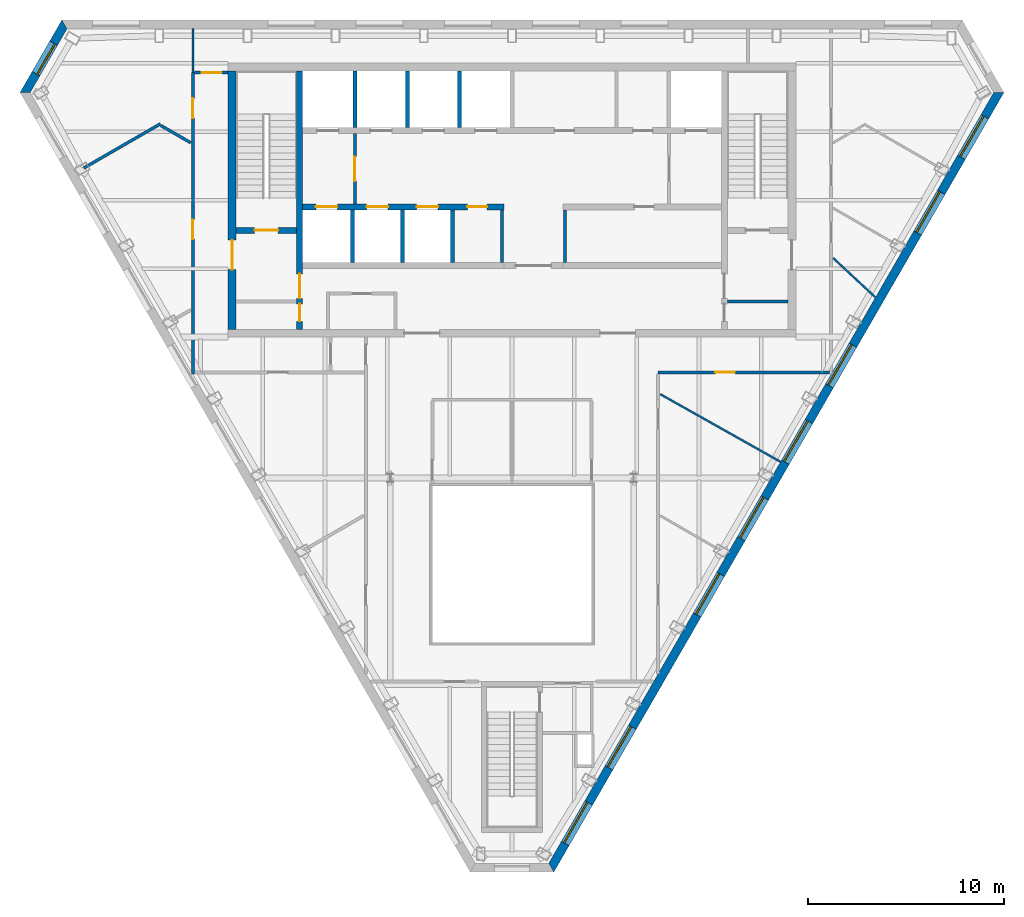
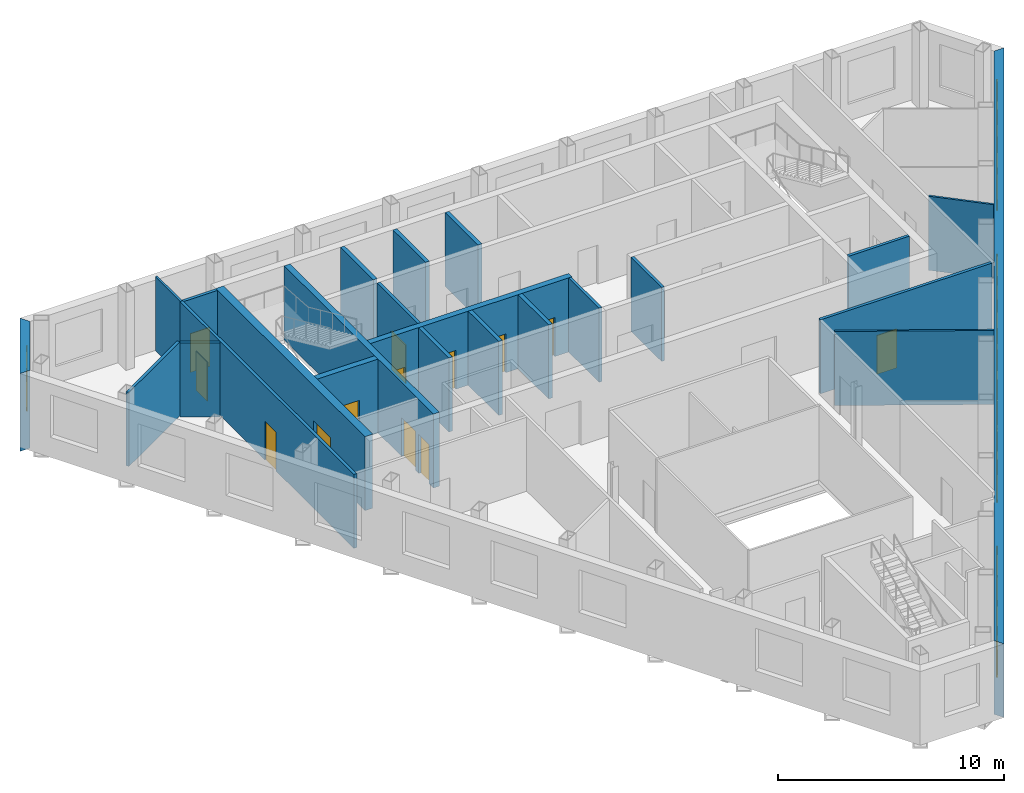
# One storey, part 5 of 9: 24 walls, 13 doors, 9 windows, 22 openings.
"""IFC4 building model written with IfcOpenShell, lengths in metres."""

import ifcopenshell
import ifcopenshell.guid

model = None  # the IFC model being written
_history = None  # IfcOwnerHistory: only IFC2X3 demands one
_inside = {}  # id of a spatial element -> (the spatial element, [elements in it])
_under = {}  # id of a project, library or spatial element -> (it, [spatial elements below it])
_declared = {}  # id of a project -> (the project, [libraries it declares])
_typed = {}  # id of a type object -> (the type object, [elements of that type])
_made_of = {}  # id of a material, layer set ... -> (it, [elements and type objects made of it])


def new_model(schema):
    """Start an empty IFC model of exactly this schema.

    Asked for "IFC4X3", IfcOpenShell would pick the latest addendum, in which some entities
    have other attributes; the version numbers below select the first issue.
    IFC2X3 requires an IfcOwnerHistory on every rooted entity: one is made here for all.
    """
    global model, _history
    if schema == "IFC4X3":
        model = ifcopenshell.file(schema_version=(4, 3, 0, 0))
    else:
        model = ifcopenshell.file(schema=schema)
    _inside.clear()
    _under.clear()
    _declared.clear()
    _typed.clear()
    _made_of.clear()
    _history = None
    if model.schema == "IFC2X3":
        org = make("IfcOrganization", Name="unknown")
        user = make(
            "IfcPersonAndOrganization",
            ThePerson=make("IfcPerson", FamilyName="unknown"),
            TheOrganization=org,
        )
        app = make(
            "IfcApplication",
            ApplicationDeveloper=org,
            Version="unknown",
            ApplicationFullName="unknown",
            ApplicationIdentifier="unknown",
        )
        _history = make(
            "IfcOwnerHistory",
            OwningUser=user,
            OwningApplication=app,
            ChangeAction="ADDED",
            CreationDate=0,
        )
    return model


def make(cls, **values):
    """One entity of the class cls with the attributes given. An attribute that is None is left unset."""
    return model.create_entity(
        cls, **{name: value for name, value in values.items() if value is not None}
    )


def rooted(cls, **values):
    """An entity with a GlobalId (a new one), such as an element, a storey or a relation."""
    return make(cls, GlobalId=ifcopenshell.guid.new(), OwnerHistory=_history, **values)


def si_unit(unit_type, name, prefix=None):
    """IfcSIUnit, for example si_unit("LENGTHUNIT", "METRE", prefix="MILLI")."""
    return make("IfcSIUnit", UnitType=unit_type, Prefix=prefix, Name=name)


def assignment(units):
    """IfcUnitAssignment: the units of a project."""
    return None if units is None else make("IfcUnitAssignment", Units=units)


def point(xyz):
    """IfcCartesianPoint."""
    return None if xyz is None else make("IfcCartesianPoint", Coordinates=xyz)


def direction(xyz):
    """IfcDirection."""
    return None if xyz is None else make("IfcDirection", DirectionRatios=xyz)


def frame(location, z_axis=None, x_axis=None):
    """IfcAxis2Placement3D, a coordinate frame: its origin and axes. An axis left out is left unset."""
    return make(
        "IfcAxis2Placement3D",
        Location=point(location),
        Axis=direction(z_axis),
        RefDirection=direction(x_axis),
    )


def frame_2d(location, x_axis=None):
    """IfcAxis2Placement2D, a coordinate frame in the plane: its origin and x axis."""
    return make(
        "IfcAxis2Placement2D", Location=point(location), RefDirection=direction(x_axis)
    )


def origin():
    """The frame at (0, 0, 0) with its axes left unset."""
    return frame((0.0, 0.0, 0.0))


def place(relative_to, where):
    """IfcLocalPlacement: puts the frame where relative to a parent placement (None: the world)."""
    return make(
        "IfcLocalPlacement", PlacementRelTo=relative_to, RelativePlacement=where
    )


def context(
    kind, dimensions, precision=None, world=None, true_north=None, identifier=None
):
    """IfcGeometricRepresentationContext, for example the 3D "Model" context."""
    return make(
        "IfcGeometricRepresentationContext",
        ContextIdentifier=identifier,
        ContextType=kind,
        CoordinateSpaceDimension=dimensions,
        Precision=precision,
        WorldCoordinateSystem=world,
        TrueNorth=true_north,
    )


def subcontext(parent, identifier, kind, view, scale=None):
    """IfcGeometricRepresentationSubContext, for example "Body" below "Model"."""
    return make(
        "IfcGeometricRepresentationSubContext",
        ContextIdentifier=identifier,
        ContextType=kind,
        ParentContext=parent,
        TargetScale=scale,
        TargetView=view,
    )


def project(units=None, contexts=None):
    """IfcProject with its units and contexts."""
    return rooted(
        "IfcProject",
        Name="project",
        RepresentationContexts=contexts,
        UnitsInContext=assignment(units),
    )


def spatial(cls, under=None, at=None, **own):
    """A site, building, storey or space (cls), placed at a placement, below another one or the project."""
    s = rooted(cls, ObjectPlacement=at, **own)
    if under is not None:
        _under.setdefault(under.id(), (under, []))[1].append(s)
    return s


def polyline(points):
    """IfcPolyline through the points."""
    return make("IfcPolyline", Points=[point(p) for p in points])


def profile(cls, at=None, kind="AREA", **sizes):
    """A parametric profile (cls). Its sizes go by their IFC names, for example OverallWidth=200.0."""
    return make(cls, ProfileType=kind, Position=at, **sizes)


def rectangle(**sizes):
    """IfcRectangleProfileDef."""
    return profile("IfcRectangleProfileDef", **sizes)


def outline(outer, holes=None, kind="AREA"):
    """IfcArbitraryClosedProfileDef: a profile drawn as a closed curve; with holes, ...WithVoids."""
    if holes is None:
        return make("IfcArbitraryClosedProfileDef", ProfileType=kind, OuterCurve=outer)
    return make(
        "IfcArbitraryProfileDefWithVoids",
        ProfileType=kind,
        OuterCurve=outer,
        InnerCurves=holes,
    )


def extrude(swept, where, along, depth):
    """IfcExtrudedAreaSolid: the profile swept, set in the frame where, extruded along a direction by depth."""
    return make(
        "IfcExtrudedAreaSolid",
        SweptArea=swept,
        Position=where,
        ExtrudedDirection=direction(along),
        Depth=depth,
    )


def shape(context_of_items, identifier, shape_type, items):
    """IfcShapeRepresentation: the items that make up one representation, for example the "Body"."""
    return make(
        "IfcShapeRepresentation",
        ContextOfItems=context_of_items,
        RepresentationIdentifier=identifier,
        RepresentationType=shape_type,
        Items=items,
    )


def material(Name=None, Category=None):
    """IfcMaterial."""
    return make("IfcMaterial", Name=Name, Category=Category)


def layer(
    of_material, thickness, ventilated=None, Name=None, Category=None, Priority=None
):
    """IfcMaterialLayer: one layer of a wall or slab, of a material (None: an air gap)."""
    return make(
        "IfcMaterialLayer",
        Material=of_material,
        LayerThickness=thickness,
        IsVentilated=ventilated,
        Name=Name,
        Category=Category,
        Priority=Priority,
    )


def layer_set(layers, Name=None):
    """IfcMaterialLayerSet."""
    return make("IfcMaterialLayerSet", MaterialLayers=layers, LayerSetName=Name)


def made_of(thing, what):
    """Note that an element or type object is made of a material, layer set ...; save() writes the relation."""
    if what is not None:
        _made_of.setdefault(what.id(), (what, []))[1].append(thing)
    return thing


def type_object(cls, material=None, **own):
    """A type object (cls), such as IfcWallType, which elements share."""
    return made_of(rooted(cls, **own), material)


def element(
    cls,
    number,
    at=None,
    inside=None,
    cuts=None,
    type_object=None,
    material=None,
    context=None,
    identifier="Body",
    shape_type=None,
    held_by="IfcProductDefinitionShape",
    body=None,
    shapes=None,
    **own,
):
    """One element of the class cls, such as IfcWall. Its Tag is "e" and its number.

    at: its placement. inside: the storey or other place that contains it. cuts: it is an
    opening in that element (IfcRelVoidsElement). A single representation is given by context,
    identifier, shape_type and body (its items); several are given by shapes. held_by: the class
    of the entity that holds the representations. save() writes the other relations.
    """
    e = rooted(cls, Tag="e%d" % number, ObjectPlacement=at, **own)
    if body is not None:
        shapes = [shape(context, identifier, shape_type, body)]
    if shapes is not None:
        e.Representation = make(held_by, Representations=shapes)
    if inside is not None:
        _inside.setdefault(inside.id(), (inside, []))[1].append(e)
    if cuts is not None:
        rooted(
            "IfcRelVoidsElement", RelatingBuildingElement=cuts, RelatedOpeningElement=e
        )
    if type_object is not None:
        _typed.setdefault(type_object.id(), (type_object, []))[1].append(e)
    return made_of(e, material)


def fill(opening, filler):
    """IfcRelFillsElement: the door or window that sits in an opening."""
    return rooted(
        "IfcRelFillsElement",
        RelatingOpeningElement=opening,
        RelatedBuildingElement=filler,
    )


def aggregate(whole, parts):
    """IfcRelAggregates: a whole, such as a stair, and the parts it consists of."""
    return rooted("IfcRelAggregates", RelatingObject=whole, RelatedObjects=parts)


def save(model, path):
    """Write the relations noted so far, then the file.

    IfcRelAggregates (storeys below a building ...), IfcRelContainedInSpatialStructure (elements
    in a storey), IfcRelDefinesByType, IfcRelAssociatesMaterial and IfcRelDeclares: one each for
    every whole, place, type object, material and project.
    """
    for whole, parts in _under.values():
        aggregate(whole, parts)
    for where, things in _inside.values():
        rooted(
            "IfcRelContainedInSpatialStructure",
            RelatedElements=things,
            RelatingStructure=where,
        )
    for kind, things in _typed.values():
        rooted("IfcRelDefinesByType", RelatedObjects=things, RelatingType=kind)
    for what, things in _made_of.values():
        rooted("IfcRelAssociatesMaterial", RelatedObjects=things, RelatingMaterial=what)
    for by, libraries in _declared.values():
        rooted("IfcRelDeclares", RelatingContext=by, RelatedDefinitions=libraries)
    model.write(path)


model = new_model("IFC4")

# Units and contexts
model_context = context("Model", 3, precision=1e-05, world=origin(), true_north=direction((0.0, 1.0)))
body_context = subcontext(model_context, "Body", "Model", "MODEL_VIEW")
ifc_project = project(units=[si_unit("LENGTHUNIT", "METRE"), si_unit("AREAUNIT", "SQUARE_METRE"), si_unit("VOLUMEUNIT", "CUBIC_METRE"), si_unit("PLANEANGLEUNIT", "RADIAN"), si_unit("MASSUNIT", "GRAM", prefix="KILO")], contexts=[model_context])

# Site, building, storey
site_placement = place(None, origin())
site = spatial("IfcSite", under=ifc_project, at=site_placement, CompositionType="ELEMENT")
building_placement = place(site_placement, origin())
building = spatial("IfcBuilding", under=site, at=building_placement, Name="Njiva Tower", CompositionType="ELEMENT")
storey_placement = place(building_placement, frame((0.0, 0.0, 321.0)))
storey = spatial("IfcBuildingStorey", under=building, at=storey_placement, Name="L73", CompositionType="ELEMENT", Elevation=321.0)

# Walls
ifc_material_1 = material(Name="Blockwork", Category="masonry")
ifc_layer_1 = layer(ifc_material_1, 0.15)
ifc_layer_set_1 = layer_set([ifc_layer_1], Name="Blockwork")
wall_type_1 = type_object("IfcWallType", Name="WT1 Compartment partition 150", PredefinedType="PARTITIONING", material=ifc_layer_set_1)
for number, where, z_axis, x_axis, name in (
    (1, (-0.5, 7.8, 0.0), (0.0, 0.0, 1.0), (0.0, 1.0, 0.0), "Partition CS4"),
    (2, (2.7, 7.8, 0.0), (0.0, 0.0, 1.0), (0.0, 1.0, 0.0), "Partition CS5"),
):
    element("IfcWall", number, at=place(storey_placement, frame(where, z_axis=z_axis, x_axis=x_axis)), inside=storey, type_object=wall_type_1, Name=name, PredefinedType="PARTITIONING", context=body_context, shape_type="SweptSolid", body=[
        extrude(rectangle(XDim=2.7, YDim=0.15, at=frame_2d((1.35, 0.0))), origin(), (0.0, 0.0, 1.0), 4.0),
    ])
wall_1_placement = place(storey_placement, frame((11.0, 5.825, 0.0), z_axis=(0.0, 0.0, 1.0), x_axis=(1.0, 0.0, 0.0)))
element("IfcWall", 3, at=wall_1_placement, inside=storey, type_object=wall_type_1, Name="Room wall B", PredefinedType="PARTITIONING", context=body_context, shape_type="SweptSolid", body=[
    extrude(rectangle(XDim=3.1, YDim=0.15, at=frame_2d((1.55, 0.0))), origin(), (0.0, 0.0, 1.0), 4.0),
])

# Wall, openings, doors
ifc_material_2 = material(Name="Concrete C40/50", Category="concrete")
ifc_layer_2 = layer(ifc_material_2, 0.3)
ifc_layer_set_2 = layer_set([ifc_layer_2], Name="Concrete C40/50")
wall_type_2 = type_object("IfcWallType", Name="WT10 Stair enclosure wall 300", PredefinedType="SHEAR", material=ifc_layer_set_2)
wall_2_placement = place(storey_placement, frame((-10.85, 4.4, 0.0), z_axis=(0.0, 0.0, 1.0), x_axis=(0.0, 1.0, 0.0)))
wall_2 = element("IfcWall", 4, at=wall_2_placement, inside=storey, type_object=wall_type_2, Name="Stair wall west inner", PredefinedType="SHEAR", context=body_context, shape_type="SweptSolid", body=[
    extrude(rectangle(XDim=13.2, YDim=0.3, at=frame_2d((6.6, 0.0))), origin(), (0.0, 0.0, 1.0), 4.0),
])
opening_1_placement = place(wall_2_placement, frame((1.575, 0.0, 0.0)))
opening_1 = element("IfcOpeningElement", 5, at=opening_1_placement, cuts=wall_2, Name="Opening S25-D915", PredefinedType="OPENING", context=body_context, shape_type="SweptSolid", body=[
    extrude(rectangle(XDim=1.25, YDim=2.1, at=frame_2d((0.625, 1.05))), frame((0.0, 0.16, 0.0), z_axis=(0.0, -1.0, 0.0), x_axis=(1.0, 0.0, 0.0)), (0.0, 0.0, 1.0), 0.32),
])
opening_2_placement = place(wall_2_placement, frame((0.4, 0.0, 0.0)))
opening_2 = element("IfcOpeningElement", 6, at=opening_2_placement, cuts=wall_2, Name="Opening S25-D917", PredefinedType="OPENING", context=body_context, shape_type="SweptSolid", body=[
    extrude(rectangle(XDim=0.9, YDim=2.1, at=frame_2d((0.45, 1.05))), frame((0.0, 0.16, 0.0), z_axis=(0.0, -1.0, 0.0), x_axis=(1.0, 0.0, 0.0)), (0.0, 0.0, 1.0), 0.32),
])
ifc_material_3 = material(Name="Steel door, painted", Category="steel")
door_type_1 = type_object("IfcDoorType", Name="D13 Steel door 900x2100", OperationType="SINGLE_SWING_LEFT", PredefinedType="DOOR", material=ifc_material_3)
door_1_placement = place(opening_2_placement, origin())
door_1 = element("IfcDoor", 7, at=door_1_placement, inside=storey, type_object=door_type_1, Name="Prayer room door", OperationType="SINGLE_SWING_RIGHT", OverallHeight=2.1, OverallWidth=0.9, PredefinedType="DOOR", context=body_context, shape_type="SweptSolid", body=[
    extrude(rectangle(XDim=0.9, YDim=2.1, at=frame_2d((0.45, 1.05))), frame((0.0, 0.025, 0.0), z_axis=(0.0, -1.0, 0.0), x_axis=(1.0, 0.0, 0.0)), (0.0, 0.0, 1.0), 0.05),
])
fill(opening_2, door_1)
ifc_material_4 = material(Name="Glazed steel fire door", Category="steel")
door_type_2 = type_object("IfcDoorType", Name="D8 Vestibule corridor door 1250x2100 glazed", OperationType="SINGLE_SWING_LEFT", PredefinedType="DOOR", material=ifc_material_4)
door_2_placement = place(opening_1_placement, origin())
door_2 = element("IfcDoor", 8, at=door_2_placement, inside=storey, type_object=door_type_2, Name="Stair vestibule corridor door", OperationType="SINGLE_SWING_LEFT", OverallHeight=2.1, OverallWidth=1.25, PredefinedType="DOOR", context=body_context, shape_type="SweptSolid", body=[
    extrude(rectangle(XDim=1.25, YDim=2.1, at=frame_2d((0.625, 1.05))), frame((0.0, 0.025, 0.0), z_axis=(0.0, -1.0, 0.0), x_axis=(1.0, 0.0, 0.0)), (0.0, 0.0, 1.0), 0.05),
])
fill(opening_1, door_2)

# Wall, opening, door
wall_3_placement = place(storey_placement, frame((-14.1, 9.45, 0.0), z_axis=(0.0, 0.0, 1.0), x_axis=(1.0, 0.0, 0.0)))
wall_3 = element("IfcWall", 9, at=wall_3_placement, inside=storey, type_object=wall_type_2, Name="Stair A south wall", PredefinedType="SHEAR", context=body_context, shape_type="SweptSolid", body=[
    extrude(rectangle(XDim=3.1, YDim=0.3, at=frame_2d((1.55, 0.0))), origin(), (0.0, 0.0, 1.0), 4.0),
])
opening_3_placement = place(wall_3_placement, frame((0.95, 0.0, 0.0)))
opening_3 = element("IfcOpeningElement", 10, at=opening_3_placement, cuts=wall_3, Name="Opening S25-D914", PredefinedType="OPENING", context=body_context, shape_type="SweptSolid", body=[
    extrude(rectangle(XDim=1.2, YDim=2.1, at=frame_2d((0.6, 1.05))), frame((0.0, 0.16, 0.0), z_axis=(0.0, -1.0, 0.0), x_axis=(1.0, 0.0, 0.0)), (0.0, 0.0, 1.0), 0.32),
])
door_type_3 = type_object("IfcDoorType", Name="D7 Stair vestibule door 1200x2100 glazed", OperationType="SINGLE_SWING_LEFT", PredefinedType="DOOR", material=ifc_material_4)
door_3_placement = place(opening_3_placement, origin())
door_3 = element("IfcDoor", 11, at=door_3_placement, inside=storey, type_object=door_type_3, Name="Stair A door", OperationType="SINGLE_SWING_LEFT", OverallHeight=2.1, OverallWidth=1.2, PredefinedType="DOOR", context=body_context, shape_type="SweptSolid", body=[
    extrude(rectangle(XDim=1.2, YDim=2.1, at=frame_2d((0.6, 1.05))), frame((0.0, 0.025, 0.0), z_axis=(0.0, -1.0, 0.0), x_axis=(1.0, 0.0, 0.0)), (0.0, 0.0, 1.0), 0.05),
])
fill(opening_3, door_3)

ifc_material_5 = material(Name="Concrete C60/75", Category="concrete")
ifc_layer_3 = layer(ifc_material_5, 0.4)
ifc_layer_set_3 = layer_set([ifc_layer_3], Name="Concrete C60/75")
wall_type_3 = type_object("IfcWallType", Name="WT11 Core wall 400", PredefinedType="SHEAR", material=ifc_layer_set_3)
wall_4_placement = place(storey_placement, frame((-14.3, 4.4, 0.0), z_axis=(0.0, 0.0, 1.0), x_axis=(0.0, 1.0, 0.0)))
wall_4 = element("IfcWall", 12, at=wall_4_placement, inside=storey, type_object=wall_type_3, Name="Core wall west", PredefinedType="SHEAR", context=body_context, shape_type="SweptSolid", body=[
    extrude(rectangle(XDim=13.2, YDim=0.4, at=frame_2d((6.6, 0.0))), origin(), (0.0, 0.0, 1.0), 4.0),
])
opening_4_placement = place(wall_4_placement, frame((3.05, 0.0, 0.0)))
opening_4 = element("IfcOpeningElement", 13, at=opening_4_placement, cuts=wall_4, Name="Opening S25-D916", PredefinedType="OPENING", context=body_context, shape_type="SweptSolid", body=[
    extrude(rectangle(XDim=1.5, YDim=2.1, at=frame_2d((0.75, 1.05))), frame((0.0, 0.21, 0.0), z_axis=(0.0, -1.0, 0.0), x_axis=(1.0, 0.0, 0.0)), (0.0, 0.0, 1.0), 0.42),
])
door_type_4 = type_object("IfcDoorType", Name="D10 Exit door double 1500x2100 glazed", OperationType="DOUBLE_DOOR_SINGLE_SWING", PredefinedType="DOOR", material=ifc_material_4)
door_4_placement = place(opening_4_placement, origin())
door_4 = element("IfcDoor", 14, at=door_4_placement, inside=storey, type_object=door_type_4, Name="Stair A corridor door", OperationType="DOUBLE_DOOR_SINGLE_SWING", OverallHeight=2.1, OverallWidth=1.5, PredefinedType="DOOR", context=body_context, shape_type="SweptSolid", body=[
    extrude(rectangle(XDim=1.5, YDim=2.1, at=frame_2d((0.75, 1.05))), frame((0.0, 0.025, 0.0), z_axis=(0.0, -1.0, 0.0), x_axis=(1.0, 0.0, 0.0)), (0.0, 0.0, 1.0), 0.05),
])
fill(opening_4, door_4)

ifc_layer_4 = layer(ifc_material_1, 0.15)
ifc_layer_set_4 = layer_set([ifc_layer_4], Name="Blockwork")
wall_type_4 = type_object("IfcWallType", Name="WT2 Lobby partition 150", PredefinedType="PARTITIONING", material=ifc_layer_set_4)
wall_5_placement = place(storey_placement, frame((-8.025, 10.8, 0.0), z_axis=(0.0, 0.0, 1.0), x_axis=(0.0, 1.0, 0.0)))
wall_5 = element("IfcWall", 15, at=wall_5_placement, inside=storey, type_object=wall_type_4, Name="Firefighting lobby wall A", PredefinedType="PARTITIONING", context=body_context, shape_type="SweptSolid", body=[
    extrude(rectangle(XDim=3.6, YDim=0.15, at=frame_2d((1.8, 0.0))), origin(), (0.0, 0.0, 1.0), 4.0),
])
opening_5_placement = place(wall_5_placement, frame((1.175, 0.0, 0.0)))
opening_5 = element("IfcOpeningElement", 16, at=opening_5_placement, cuts=wall_5, Name="Opening S25-D913", PredefinedType="OPENING", context=body_context, shape_type="SweptSolid", body=[
    extrude(rectangle(XDim=1.25, YDim=2.1, at=frame_2d((0.625, 1.05))), frame((0.0, 0.085, 0.0), z_axis=(0.0, -1.0, 0.0), x_axis=(1.0, 0.0, 0.0)), (0.0, 0.0, 1.0), 0.17),
])
door_5_placement = place(opening_5_placement, origin())
door_5 = element("IfcDoor", 17, at=door_5_placement, inside=storey, type_object=door_type_2, Name="Stair vestibule corridor door", OperationType="SINGLE_SWING_RIGHT", OverallHeight=2.1, OverallWidth=1.25, PredefinedType="DOOR", context=body_context, shape_type="SweptSolid", body=[
    extrude(rectangle(XDim=1.25, YDim=2.1, at=frame_2d((0.625, 1.05))), frame((0.0, 0.025, 0.0), z_axis=(0.0, -1.0, 0.0), x_axis=(1.0, 0.0, 0.0)), (0.0, 0.0, 1.0), 0.05),
])
fill(opening_5, door_5)

# Walls
ifc_material_6 = material(Name="Gypsum board on steel studs", Category="gypsum")
ifc_layer_5 = layer(ifc_material_6, 0.1)
ifc_layer_set_5 = layer_set([ifc_layer_5], Name="Gypsum board on steel studs")
wall_type_5 = type_object("IfcWallType", Name="WT20 Gypsum partition 100", PredefinedType="PARTITIONING", material=ifc_layer_set_5)
wall_6_placement = place(storey_placement, frame((-16.3, 17.524, 0.0), z_axis=(0.0, 0.0, 1.0), x_axis=(0.0, 1.0, 0.0)))
element("IfcWall", 18, at=wall_6_placement, inside=storey, type_object=wall_type_5, Name="Partition S25-P005", PredefinedType="PARTITIONING", context=body_context, shape_type="SweptSolid", body=[
    extrude(rectangle(XDim=2.224, YDim=0.1, at=frame_2d((1.112, 0.0))), origin(), (0.0, 0.0, 1.0), 4.0),
])
wall_7_placement = place(storey_placement, frame((7.57, 1.087, 0.0), z_axis=(0.0, 0.0, 1.0), x_axis=(0.871545267987, -0.490315047546, 0.0)))
element("IfcWall", 19, at=wall_7_placement, inside=storey, type_object=wall_type_5, Name="Partition S25-P021", PredefinedType="PARTITIONING", context=body_context, shape_type="SweptSolid", body=[
    extrude(rectangle(XDim=7.0587, YDim=0.1, at=frame_2d((3.5294, 0.0))), origin(), (0.0, 0.0, 1.0), 4.0),
])
wall_8_placement = place(storey_placement, frame((16.409, 8.039, 0.0), z_axis=(0.0, 0.0, 1.0), x_axis=(0.732202441649, -0.68108706084, 0.0)))
element("IfcWall", 20, at=wall_8_placement, inside=storey, type_object=wall_type_5, Name="Partition S25-P027", PredefinedType="PARTITIONING", context=body_context, shape_type="SweptSolid", body=[
    extrude(rectangle(XDim=2.9541, YDim=0.1, at=frame_2d((1.477, 0.0))), origin(), (0.0, 0.0, 1.0), 4.0),
])
ifc_layer_6 = layer(ifc_material_6, 0.15)
ifc_layer_set_6 = layer_set([ifc_layer_6], Name="Gypsum board on steel studs")
wall_type_6 = type_object("IfcWallType", Name="WT21 Compartment wall 150", PredefinedType="PARTITIONING", material=ifc_layer_set_6)
wall_9_placement = place(storey_placement, frame((-21.872, 12.642, 0.0), z_axis=(0.0, 0.0, 1.0), x_axis=(0.866259344548, 0.499594583621, 0.0)))
element("IfcWall", 21, at=wall_9_placement, inside=storey, type_object=wall_type_6, Name="Partition S25-P001", PredefinedType="PARTITIONING", context=body_context, shape_type="SweptSolid", body=[
    extrude(rectangle(XDim=4.5137, YDim=0.15, at=frame_2d((2.2568, 0.0))), origin(), (0.0, 0.0, 1.0), 4.0),
])
wall_10_placement = place(storey_placement, frame((-17.938, 14.809, 0.0), z_axis=(0.0, 0.0, 1.0), x_axis=(0.866034375916, -0.49998445949, 0.0)))
element("IfcWall", 22, at=wall_10_placement, inside=storey, type_object=wall_type_6, Name="Partition S25-P002", PredefinedType="PARTITIONING", context=body_context, shape_type="SweptSolid", body=[
    extrude(rectangle(XDim=1.7621, YDim=0.15, at=frame_2d((0.881, 0.0))), origin(), (0.0, 0.0, 1.0), 4.0),
])

# Wall, openings, doors
wall_11_placement = place(storey_placement, frame((-16.3, 2.125, 0.0), z_axis=(0.0, 0.0, 1.0), x_axis=(0.0, 1.0, 0.0)))
wall_11 = element("IfcWall", 23, at=wall_11_placement, inside=storey, type_object=wall_type_6, Name="Partition S25-P004", PredefinedType="PARTITIONING", context=body_context, shape_type="SweptSolid", body=[
    extrude(rectangle(XDim=15.399, YDim=0.15, at=frame_2d((7.6995, 0.0))), origin(), (0.0, 0.0, 1.0), 4.0),
])
opening_6_placement = place(wall_11_placement, frame((6.88, 0.0, 0.0)))
opening_6 = element("IfcOpeningElement", 24, at=opening_6_placement, cuts=wall_11, Name="Opening S25-D001", PredefinedType="OPENING", context=body_context, shape_type="SweptSolid", body=[
    extrude(rectangle(XDim=1.0, YDim=2.1, at=frame_2d((0.5, 1.05))), frame((0.0, 0.085, 0.0), z_axis=(0.0, -1.0, 0.0), x_axis=(1.0, 0.0, 0.0)), (0.0, 0.0, 1.0), 0.17),
])
opening_7_placement = place(wall_11_placement, frame((13.069, 0.0, 0.0)))
opening_7 = element("IfcOpeningElement", 25, at=opening_7_placement, cuts=wall_11, Name="Opening S25-D002", PredefinedType="OPENING", context=body_context, shape_type="SweptSolid", body=[
    extrude(rectangle(XDim=1.0, YDim=2.1, at=frame_2d((0.5, 1.05))), frame((0.0, 0.085, 0.0), z_axis=(0.0, -1.0, 0.0), x_axis=(1.0, 0.0, 0.0)), (0.0, 0.0, 1.0), 0.17),
])
ifc_material_7 = material(Name="Steel fire door set", Category="steel")
door_type_5 = type_object("IfcDoorType", Name="D37 Fire door 1000x2100", OperationType="SINGLE_SWING_LEFT", PredefinedType="DOOR", material=ifc_material_7)
door_6_placement = place(opening_6_placement, origin())
door_6 = element("IfcDoor", 26, at=door_6_placement, inside=storey, type_object=door_type_5, Name="Door S25-D001", OperationType="SINGLE_SWING_RIGHT", OverallHeight=2.1, OverallWidth=1.0, PredefinedType="DOOR", context=body_context, shape_type="SweptSolid", body=[
    extrude(rectangle(XDim=1.0, YDim=2.1, at=frame_2d((0.5, 1.05))), frame((0.0, 0.025, 0.0), z_axis=(0.0, -1.0, 0.0), x_axis=(1.0, 0.0, 0.0)), (0.0, 0.0, 1.0), 0.05),
])
fill(opening_6, door_6)
door_7_placement = place(opening_7_placement, origin())
door_7 = element("IfcDoor", 27, at=door_7_placement, inside=storey, type_object=door_type_5, Name="Door S25-D002", OperationType="SINGLE_SWING_LEFT", OverallHeight=2.1, OverallWidth=1.0, PredefinedType="DOOR", context=body_context, shape_type="SweptSolid", body=[
    extrude(rectangle(XDim=1.0, YDim=2.1, at=frame_2d((0.5, 1.05))), frame((0.0, 0.025, 0.0), z_axis=(0.0, -1.0, 0.0), x_axis=(1.0, 0.0, 0.0)), (0.0, 0.0, 1.0), 0.05),
])
fill(opening_7, door_7)

# Wall, opening, door
wall_12_placement = place(storey_placement, frame((-16.225, 17.512, 0.0), z_axis=(0.0, 0.0, 1.0), x_axis=(1.0, 0.0, 0.0)))
wall_12 = element("IfcWall", 28, at=wall_12_placement, inside=storey, type_object=wall_type_6, Name="Partition S25-P007", PredefinedType="PARTITIONING", context=body_context, shape_type="SweptSolid", body=[
    extrude(rectangle(XDim=1.725, YDim=0.15, at=frame_2d((0.8625, 0.0))), origin(), (0.0, 0.0, 1.0), 4.0),
])
opening_8_placement = place(wall_12_placement, frame((0.363, 0.0, 0.0)))
opening_8 = element("IfcOpeningElement", 29, at=opening_8_placement, cuts=wall_12, Name="Opening S25-D004", PredefinedType="OPENING", context=body_context, shape_type="SweptSolid", body=[
    extrude(rectangle(XDim=1.0, YDim=2.1, at=frame_2d((0.5, 1.05))), frame((0.0, 0.085, 0.0), z_axis=(0.0, -1.0, 0.0), x_axis=(1.0, 0.0, 0.0)), (0.0, 0.0, 1.0), 0.17),
])
door_8_placement = place(opening_8_placement, origin())
door_8 = element("IfcDoor", 30, at=door_8_placement, inside=storey, type_object=door_type_5, Name="Door S25-D004", OperationType="SINGLE_SWING_LEFT", OverallHeight=2.1, OverallWidth=1.0, PredefinedType="DOOR", context=body_context, shape_type="SweptSolid", body=[
    extrude(rectangle(XDim=1.0, YDim=2.1, at=frame_2d((0.5, 1.05))), frame((0.0, 0.025, 0.0), z_axis=(0.0, -1.0, 0.0), x_axis=(1.0, 0.0, 0.0)), (0.0, 0.0, 1.0), 0.05),
])
fill(opening_8, door_8)

wall_13_placement = place(storey_placement, frame((7.47, 2.2, 0.0), z_axis=(0.0, 0.0, 1.0), x_axis=(1.0, 0.0, 0.0)))
wall_13 = element("IfcWall", 31, at=wall_13_placement, inside=storey, type_object=wall_type_6, Name="Partition S25-P020", PredefinedType="PARTITIONING", context=body_context, shape_type="SweptSolid", body=[
    extrude(rectangle(XDim=8.755, YDim=0.15, at=frame_2d((4.3775, 0.0))), origin(), (0.0, 0.0, 1.0), 4.0),
])
opening_9_placement = place(wall_13_placement, frame((2.922, 0.0, 0.0)))
opening_9 = element("IfcOpeningElement", 32, at=opening_9_placement, cuts=wall_13, Name="Opening S25-D013", PredefinedType="OPENING", context=body_context, shape_type="SweptSolid", body=[
    extrude(rectangle(XDim=1.0, YDim=2.1, at=frame_2d((0.5, 1.05))), frame((0.0, 0.085, 0.0), z_axis=(0.0, -1.0, 0.0), x_axis=(1.0, 0.0, 0.0)), (0.0, 0.0, 1.0), 0.17),
])
door_9_placement = place(opening_9_placement, origin())
door_9 = element("IfcDoor", 33, at=door_9_placement, inside=storey, type_object=door_type_5, Name="Door S25-D013", OperationType="SINGLE_SWING_LEFT", OverallHeight=2.1, OverallWidth=1.0, PredefinedType="DOOR", context=body_context, shape_type="SweptSolid", body=[
    extrude(rectangle(XDim=1.0, YDim=2.1, at=frame_2d((0.5, 1.05))), frame((0.0, 0.025, 0.0), z_axis=(0.0, -1.0, 0.0), x_axis=(1.0, 0.0, 0.0)), (0.0, 0.0, 1.0), 0.05),
])
fill(opening_9, door_9)

# Walls
ifc_layer_7 = layer(ifc_material_2, 0.2)
ifc_layer_set_7 = layer_set([ifc_layer_7], Name="Concrete C40/50")
wall_type_7 = type_object("IfcWallType", Name="WT6 Lift shaft wall 200", PredefinedType="SHEAR", material=ifc_layer_set_7)
for number, where, z_axis, x_axis, name in (
    (34, (-8.025, 14.7, 0.0), (0.0, 0.0, 1.0), (0.0, 1.0, 0.0), "Shaft wall CN1"),
    (35, (-5.35, 14.7, 0.0), (0.0, 0.0, 1.0), (0.0, 1.0, 0.0), "Shaft wall CN2"),
    (36, (-2.675, 14.7, 0.0), (0.0, 0.0, 1.0), (0.0, 1.0, 0.0), "Shaft wall CN3"),
):
    element("IfcWall", number, at=place(storey_placement, frame(where, z_axis=z_axis, x_axis=x_axis)), inside=storey, type_object=wall_type_7, Name=name, PredefinedType="SHEAR", context=body_context, shape_type="SweptSolid", body=[
        extrude(rectangle(XDim=2.9, YDim=0.2, at=frame_2d((1.45, 0.0))), origin(), (0.0, 0.0, 1.0), 4.0),
    ])
for number, where, z_axis, x_axis, name in (
    (37, (-8.15, 7.8, 0.0), (0.0, 0.0, 1.0), (0.0, 1.0, 0.0), "Shaft wall CS1"),
    (38, (-5.6, 7.8, 0.0), (0.0, 0.0, 1.0), (0.0, 1.0, 0.0), "Shaft wall CS2"),
    (39, (-3.05, 7.8, 0.0), (0.0, 0.0, 1.0), (0.0, 1.0, 0.0), "Shaft wall CS3"),
):
    element("IfcWall", number, at=place(storey_placement, frame(where, z_axis=z_axis, x_axis=x_axis)), inside=storey, type_object=wall_type_7, Name=name, PredefinedType="SHEAR", context=body_context, shape_type="SweptSolid", body=[
        extrude(rectangle(XDim=2.7, YDim=0.2, at=frame_2d((1.35, 0.0))), origin(), (0.0, 0.0, 1.0), 4.0),
    ])

# Wall, openings, doors
ifc_layer_8 = layer(ifc_material_2, 0.3)
ifc_layer_set_8 = layer_set([ifc_layer_8], Name="Concrete C40/50")
wall_type_8 = type_object("IfcWallType", Name="WT7 Lift shaft wall 300", PredefinedType="SHEAR", material=ifc_layer_set_8)
wall_14_placement = place(storey_placement, frame((-10.7, 10.65, 0.0), z_axis=(0.0, 0.0, 1.0), x_axis=(1.0, 0.0, 0.0)))
wall_14 = element("IfcWall", 40, at=wall_14_placement, inside=storey, type_object=wall_type_8, Name="Shaft wall south row lobby side W", PredefinedType="SHEAR", context=body_context, shape_type="SweptSolid", body=[
    extrude(rectangle(XDim=10.3, YDim=0.3, at=frame_2d((5.15, 0.0))), origin(), (0.0, 0.0, 1.0), 4.0),
])
opening_10_placement = place(wall_14_placement, frame((0.675, 0.0, 0.0)))
opening_10 = element("IfcOpeningElement", 41, at=opening_10_placement, cuts=wall_14, Name="Opening S25-D906", PredefinedType="OPENING", context=body_context, shape_type="SweptSolid", body=[
    extrude(rectangle(XDim=1.1, YDim=2.1, at=frame_2d((0.55, 1.05))), frame((0.0, 0.16, 0.0), z_axis=(0.0, -1.0, 0.0), x_axis=(1.0, 0.0, 0.0)), (0.0, 0.0, 1.0), 0.32),
])
opening_11_placement = place(wall_14_placement, frame((3.275, 0.0, 0.0)))
opening_11 = element("IfcOpeningElement", 42, at=opening_11_placement, cuts=wall_14, Name="Opening S25-D907", PredefinedType="OPENING", context=body_context, shape_type="SweptSolid", body=[
    extrude(rectangle(XDim=1.1, YDim=2.1, at=frame_2d((0.55, 1.05))), frame((0.0, 0.16, 0.0), z_axis=(0.0, -1.0, 0.0), x_axis=(1.0, 0.0, 0.0)), (0.0, 0.0, 1.0), 0.32),
])
opening_12_placement = place(wall_14_placement, frame((5.825, 0.0, 0.0)))
opening_12 = element("IfcOpeningElement", 43, at=opening_12_placement, cuts=wall_14, Name="Opening S25-D908", PredefinedType="OPENING", context=body_context, shape_type="SweptSolid", body=[
    extrude(rectangle(XDim=1.1, YDim=2.1, at=frame_2d((0.55, 1.05))), frame((0.0, 0.16, 0.0), z_axis=(0.0, -1.0, 0.0), x_axis=(1.0, 0.0, 0.0)), (0.0, 0.0, 1.0), 0.32),
])
opening_13_placement = place(wall_14_placement, frame((8.425, 0.0, 0.0)))
opening_13 = element("IfcOpeningElement", 44, at=opening_13_placement, cuts=wall_14, Name="Opening S25-D911", PredefinedType="OPENING", context=body_context, shape_type="SweptSolid", body=[
    extrude(rectangle(XDim=1.0, YDim=2.1, at=frame_2d((0.5, 1.05))), frame((0.0, 0.16, 0.0), z_axis=(0.0, -1.0, 0.0), x_axis=(1.0, 0.0, 0.0)), (0.0, 0.0, 1.0), 0.32),
])
door_type_6 = type_object("IfcDoorType", Name="D5 Steel door 1000x2100", OperationType="SINGLE_SWING_LEFT", PredefinedType="DOOR", material=ifc_material_3)
door_10_placement = place(opening_13_placement, origin())
door_10 = element("IfcDoor", 45, at=door_10_placement, inside=storey, type_object=door_type_6, Name="Reading room door", OperationType="SINGLE_SWING_RIGHT", OverallHeight=2.1, OverallWidth=1.0, PredefinedType="DOOR", context=body_context, shape_type="SweptSolid", body=[
    extrude(rectangle(XDim=1.0, YDim=2.1, at=frame_2d((0.5, 1.05))), frame((0.0, 0.025, 0.0), z_axis=(0.0, -1.0, 0.0), x_axis=(1.0, 0.0, 0.0)), (0.0, 0.0, 1.0), 0.05),
])
fill(opening_13, door_10)
ifc_material_8 = material(Name="Stainless steel sliding door", Category="steel")
door_type_7 = type_object("IfcDoorType", Name="LD Lift landing door 1100x2100", OperationType="SLIDING_TO_LEFT", PredefinedType="DOOR", material=ifc_material_8)
door_11_placement = place(opening_10_placement, origin())
door_11 = element("IfcDoor", 46, at=door_11_placement, inside=storey, type_object=door_type_7, Name="Lift landing door HB1", OperationType="SLIDING_TO_LEFT", OverallHeight=2.1, OverallWidth=1.1, PredefinedType="DOOR", context=body_context, shape_type="SweptSolid", body=[
    extrude(rectangle(XDim=1.1, YDim=2.1, at=frame_2d((0.55, 1.05))), frame((0.0, 0.025, 0.0), z_axis=(0.0, -1.0, 0.0), x_axis=(1.0, 0.0, 0.0)), (0.0, 0.0, 1.0), 0.05),
])
fill(opening_10, door_11)
door_12_placement = place(opening_11_placement, origin())
door_12 = element("IfcDoor", 47, at=door_12_placement, inside=storey, type_object=door_type_7, Name="Lift landing door HB2", OperationType="SLIDING_TO_LEFT", OverallHeight=2.1, OverallWidth=1.1, PredefinedType="DOOR", context=body_context, shape_type="SweptSolid", body=[
    extrude(rectangle(XDim=1.1, YDim=2.1, at=frame_2d((0.55, 1.05))), frame((0.0, 0.025, 0.0), z_axis=(0.0, -1.0, 0.0), x_axis=(1.0, 0.0, 0.0)), (0.0, 0.0, 1.0), 0.05),
])
fill(opening_11, door_12)
door_13_placement = place(opening_12_placement, origin())
door_13 = element("IfcDoor", 48, at=door_13_placement, inside=storey, type_object=door_type_7, Name="Lift landing door HB3", OperationType="SLIDING_TO_LEFT", OverallHeight=2.1, OverallWidth=1.1, PredefinedType="DOOR", context=body_context, shape_type="SweptSolid", body=[
    extrude(rectangle(XDim=1.1, YDim=2.1, at=frame_2d((0.55, 1.05))), frame((0.0, 0.025, 0.0), z_axis=(0.0, -1.0, 0.0), x_axis=(1.0, 0.0, 0.0)), (0.0, 0.0, 1.0), 0.05),
])
fill(opening_12, door_13)

# Wall, openings, windows
ifc_material_9 = material(Name="Brick masonry", Category="masonry")
ifc_layer_9 = layer(ifc_material_9, 0.45)
ifc_layer_set_9 = layer_set([ifc_layer_9], Name="Brick masonry")
wall_type_9 = type_object("IfcWallType", Name="WT90 Brick pier and spandrel wall 450", PredefinedType="SOLIDWALL", material=ifc_layer_set_9)
wall_15_placement = place(storey_placement, frame((2.0101, -23.1101, -0.18), z_axis=(0.0, 0.0, 1.0), x_axis=(0.500000141277, 0.866025322218, 0.0)))
wall_15 = element("IfcWall", 49, at=wall_15_placement, inside=storey, type_object=wall_type_9, Name="Facade wall SE", PredefinedType="SOLIDWALL", context=body_context, shape_type="SweptSolid", body=[
    extrude(outline(polyline([(-0.1299, -0.225), (45.8601, -0.225), (45.6003, 0.225), (0.1299, 0.225), (-0.1299, -0.225)])), origin(), (0.0, 0.0, 1.0), 3.98),
])
opening_14_placement = place(wall_15_placement, frame((1.4237, 0.0, 1.08)))
opening_14 = element("IfcOpeningElement", 50, at=opening_14_placement, cuts=wall_15, Name="Opening S25-W19", PredefinedType="OPENING", context=body_context, shape_type="SweptSolid", body=[
    extrude(rectangle(XDim=2.4, YDim=2.3, at=frame_2d((1.2, 1.15))), frame((0.0, 0.235, 0.0), z_axis=(0.0, -1.0, 0.0), x_axis=(1.0, 0.0, 0.0)), (0.0, 0.0, 1.0), 0.47),
])
opening_15_placement = place(wall_15_placement, frame((5.8919, 0.0, 1.08)))
opening_15 = element("IfcOpeningElement", 51, at=opening_15_placement, cuts=wall_15, Name="Opening S25-W20", PredefinedType="OPENING", context=body_context, shape_type="SweptSolid", body=[
    extrude(rectangle(XDim=2.4, YDim=2.3, at=frame_2d((1.2, 1.15))), frame((0.0, 0.235, 0.0), z_axis=(0.0, -1.0, 0.0), x_axis=(1.0, 0.0, 0.0)), (0.0, 0.0, 1.0), 0.47),
])
opening_16_placement = place(wall_15_placement, frame((14.9052, 0.0, 1.08)))
opening_16 = element("IfcOpeningElement", 52, at=opening_16_placement, cuts=wall_15, Name="Opening S25-W21", PredefinedType="OPENING", context=body_context, shape_type="SweptSolid", body=[
    extrude(rectangle(XDim=2.4, YDim=2.3, at=frame_2d((1.2, 1.15))), frame((0.0, 0.235, 0.0), z_axis=(0.0, -1.0, 0.0), x_axis=(1.0, 0.0, 0.0)), (0.0, 0.0, 1.0), 0.47),
])
opening_17_placement = place(wall_15_placement, frame((19.4118, 0.0, 1.08)))
opening_17 = element("IfcOpeningElement", 53, at=opening_17_placement, cuts=wall_15, Name="Opening S25-W22", PredefinedType="OPENING", context=body_context, shape_type="SweptSolid", body=[
    extrude(rectangle(XDim=2.4, YDim=2.3, at=frame_2d((1.2, 1.15))), frame((0.0, 0.235, 0.0), z_axis=(0.0, -1.0, 0.0), x_axis=(1.0, 0.0, 0.0)), (0.0, 0.0, 1.0), 0.47),
])
opening_18_placement = place(wall_15_placement, frame((23.9184, 0.0, 1.08)))
opening_18 = element("IfcOpeningElement", 54, at=opening_18_placement, cuts=wall_15, Name="Opening S25-W23", PredefinedType="OPENING", context=body_context, shape_type="SweptSolid", body=[
    extrude(rectangle(XDim=2.4, YDim=2.3, at=frame_2d((1.2, 1.15))), frame((0.0, 0.235, 0.0), z_axis=(0.0, -1.0, 0.0), x_axis=(1.0, 0.0, 0.0)), (0.0, 0.0, 1.0), 0.47),
])
opening_19_placement = place(wall_15_placement, frame((28.425, 0.0, 1.08)))
opening_19 = element("IfcOpeningElement", 55, at=opening_19_placement, cuts=wall_15, Name="Opening S25-W24", PredefinedType="OPENING", context=body_context, shape_type="SweptSolid", body=[
    extrude(rectangle(XDim=2.4, YDim=2.3, at=frame_2d((1.2, 1.15))), frame((0.0, 0.235, 0.0), z_axis=(0.0, -1.0, 0.0), x_axis=(1.0, 0.0, 0.0)), (0.0, 0.0, 1.0), 0.47),
])
opening_20_placement = place(wall_15_placement, frame((37.4383, 0.0, 1.08)))
opening_20 = element("IfcOpeningElement", 56, at=opening_20_placement, cuts=wall_15, Name="Opening S25-W25", PredefinedType="OPENING", context=body_context, shape_type="SweptSolid", body=[
    extrude(rectangle(XDim=2.4, YDim=2.3, at=frame_2d((1.2, 1.15))), frame((0.0, 0.235, 0.0), z_axis=(0.0, -1.0, 0.0), x_axis=(1.0, 0.0, 0.0)), (0.0, 0.0, 1.0), 0.47),
])
opening_21_placement = place(wall_15_placement, frame((41.9065, 0.0, 1.08)))
opening_21 = element("IfcOpeningElement", 57, at=opening_21_placement, cuts=wall_15, Name="Opening S25-W26", PredefinedType="OPENING", context=body_context, shape_type="SweptSolid", body=[
    extrude(rectangle(XDim=2.4, YDim=2.3, at=frame_2d((1.2, 1.15))), frame((0.0, 0.235, 0.0), z_axis=(0.0, -1.0, 0.0), x_axis=(1.0, 0.0, 0.0)), (0.0, 0.0, 1.0), 0.47),
])
ifc_material_10 = material(Name="Clear glazing in aluminium frame", Category="aluminium")
window_type_1 = type_object("IfcWindowType", Name="W91 Deep-set window 2400x2300", PartitioningType="SINGLE_PANEL", PredefinedType="WINDOW", material=ifc_material_10)
window_1_placement = place(opening_14_placement, origin())
window_1 = element("IfcWindow", 58, at=window_1_placement, inside=storey, type_object=window_type_1, Name="Window", OverallHeight=2.3, OverallWidth=2.4, PartitioningType="SINGLE_PANEL", PredefinedType="WINDOW", context=body_context, shape_type="SweptSolid", body=[
    extrude(rectangle(XDim=2.4, YDim=2.3, at=frame_2d((1.2, 1.15))), frame((0.0, 0.105, 0.0), z_axis=(0.0, -1.0, 0.0), x_axis=(1.0, 0.0, 0.0)), (0.0, 0.0, 1.0), 0.06),
])
fill(opening_14, window_1)
window_2_placement = place(opening_15_placement, origin())
window_2 = element("IfcWindow", 59, at=window_2_placement, inside=storey, type_object=window_type_1, Name="Window", OverallHeight=2.3, OverallWidth=2.4, PartitioningType="SINGLE_PANEL", PredefinedType="WINDOW", context=body_context, shape_type="SweptSolid", body=[
    extrude(rectangle(XDim=2.4, YDim=2.3, at=frame_2d((1.2, 1.15))), frame((0.0, 0.105, 0.0), z_axis=(0.0, -1.0, 0.0), x_axis=(1.0, 0.0, 0.0)), (0.0, 0.0, 1.0), 0.06),
])
fill(opening_15, window_2)
window_3_placement = place(opening_16_placement, origin())
window_3 = element("IfcWindow", 60, at=window_3_placement, inside=storey, type_object=window_type_1, Name="Window", OverallHeight=2.3, OverallWidth=2.4, PartitioningType="SINGLE_PANEL", PredefinedType="WINDOW", context=body_context, shape_type="SweptSolid", body=[
    extrude(rectangle(XDim=2.4, YDim=2.3, at=frame_2d((1.2, 1.15))), frame((0.0, 0.105, 0.0), z_axis=(0.0, -1.0, 0.0), x_axis=(1.0, 0.0, 0.0)), (0.0, 0.0, 1.0), 0.06),
])
fill(opening_16, window_3)
window_4_placement = place(opening_17_placement, origin())
window_4 = element("IfcWindow", 61, at=window_4_placement, inside=storey, type_object=window_type_1, Name="Window", OverallHeight=2.3, OverallWidth=2.4, PartitioningType="SINGLE_PANEL", PredefinedType="WINDOW", context=body_context, shape_type="SweptSolid", body=[
    extrude(rectangle(XDim=2.4, YDim=2.3, at=frame_2d((1.2, 1.15))), frame((0.0, 0.105, 0.0), z_axis=(0.0, -1.0, 0.0), x_axis=(1.0, 0.0, 0.0)), (0.0, 0.0, 1.0), 0.06),
])
fill(opening_17, window_4)
window_5_placement = place(opening_18_placement, origin())
window_5 = element("IfcWindow", 62, at=window_5_placement, inside=storey, type_object=window_type_1, Name="Window", OverallHeight=2.3, OverallWidth=2.4, PartitioningType="SINGLE_PANEL", PredefinedType="WINDOW", context=body_context, shape_type="SweptSolid", body=[
    extrude(rectangle(XDim=2.4, YDim=2.3, at=frame_2d((1.2, 1.15))), frame((0.0, 0.105, 0.0), z_axis=(0.0, -1.0, 0.0), x_axis=(1.0, 0.0, 0.0)), (0.0, 0.0, 1.0), 0.06),
])
fill(opening_18, window_5)
window_6_placement = place(opening_19_placement, origin())
window_6 = element("IfcWindow", 63, at=window_6_placement, inside=storey, type_object=window_type_1, Name="Window", OverallHeight=2.3, OverallWidth=2.4, PartitioningType="SINGLE_PANEL", PredefinedType="WINDOW", context=body_context, shape_type="SweptSolid", body=[
    extrude(rectangle(XDim=2.4, YDim=2.3, at=frame_2d((1.2, 1.15))), frame((0.0, 0.105, 0.0), z_axis=(0.0, -1.0, 0.0), x_axis=(1.0, 0.0, 0.0)), (0.0, 0.0, 1.0), 0.06),
])
fill(opening_19, window_6)
window_7_placement = place(opening_20_placement, origin())
window_7 = element("IfcWindow", 64, at=window_7_placement, inside=storey, type_object=window_type_1, Name="Window", OverallHeight=2.3, OverallWidth=2.4, PartitioningType="SINGLE_PANEL", PredefinedType="WINDOW", context=body_context, shape_type="SweptSolid", body=[
    extrude(rectangle(XDim=2.4, YDim=2.3, at=frame_2d((1.2, 1.15))), frame((0.0, 0.105, 0.0), z_axis=(0.0, -1.0, 0.0), x_axis=(1.0, 0.0, 0.0)), (0.0, 0.0, 1.0), 0.06),
])
fill(opening_20, window_7)
window_8_placement = place(opening_21_placement, origin())
window_8 = element("IfcWindow", 65, at=window_8_placement, inside=storey, type_object=window_type_1, Name="Window", OverallHeight=2.3, OverallWidth=2.4, PartitioningType="SINGLE_PANEL", PredefinedType="WINDOW", context=body_context, shape_type="SweptSolid", body=[
    extrude(rectangle(XDim=2.4, YDim=2.3, at=frame_2d((1.2, 1.15))), frame((0.0, 0.105, 0.0), z_axis=(0.0, -1.0, 0.0), x_axis=(1.0, 0.0, 0.0)), (0.0, 0.0, 1.0), 0.06),
])
fill(opening_21, window_8)

# Wall, opening, window
ifc_material_11 = material(Name="Brick masonry, buff", Category="masonry")
ifc_layer_10 = layer(ifc_material_11, 0.45)
ifc_layer_set_10 = layer_set([ifc_layer_10], Name="Brick masonry, buff")
wall_type_10 = type_object("IfcWallType", Name="WT94 Brick pier and spandrel wall 450, buff", PredefinedType="SOLIDWALL", material=ifc_layer_set_10)
wall_16_placement = place(storey_placement, frame((-22.8688, 19.9772, -0.4), z_axis=(0.0, 0.0, 1.0), x_axis=(-0.499999496815, -0.866025694299, 0.0)))
wall_16 = element("IfcWall", 66, at=wall_16_placement, inside=storey, type_object=wall_type_10, Name="Facade wall NW", PredefinedType="SOLIDWALL", context=body_context, shape_type="SweptSolid", body=[
    extrude(outline(polyline([(-0.1299, -0.225), (4.1501, -0.225), (3.8903, 0.225), (0.1299, 0.225), (-0.1299, -0.225)])), origin(), (0.0, 0.0, 1.0), 4.2),
])
opening_22_placement = place(wall_16_placement, frame((1.1101, 0.0, 1.3)))
opening_22 = element("IfcOpeningElement", 67, at=opening_22_placement, cuts=wall_16, Name="Opening S25-W08", PredefinedType="OPENING", context=body_context, shape_type="SweptSolid", body=[
    extrude(rectangle(XDim=1.8, YDim=2.3, at=frame_2d((0.9, 1.15))), frame((0.0, 0.235, 0.0), z_axis=(0.0, -1.0, 0.0), x_axis=(1.0, 0.0, 0.0)), (0.0, 0.0, 1.0), 0.47),
])
window_type_2 = type_object("IfcWindowType", Name="W95 Deep-set window 1800x2300", PartitioningType="SINGLE_PANEL", PredefinedType="WINDOW", material=ifc_material_10)
window_9_placement = place(opening_22_placement, origin())
window_9 = element("IfcWindow", 68, at=window_9_placement, inside=storey, type_object=window_type_2, Name="Window", OverallHeight=2.3, OverallWidth=1.8, PartitioningType="SINGLE_PANEL", PredefinedType="WINDOW", context=body_context, shape_type="SweptSolid", body=[
    extrude(rectangle(XDim=1.8, YDim=2.3, at=frame_2d((0.9, 1.15))), frame((0.0, 0.105, 0.0), z_axis=(0.0, -1.0, 0.0), x_axis=(1.0, 0.0, 0.0)), (0.0, 0.0, 1.0), 0.06),
])
fill(opening_22, window_9)

save(model, "model.ifc")
